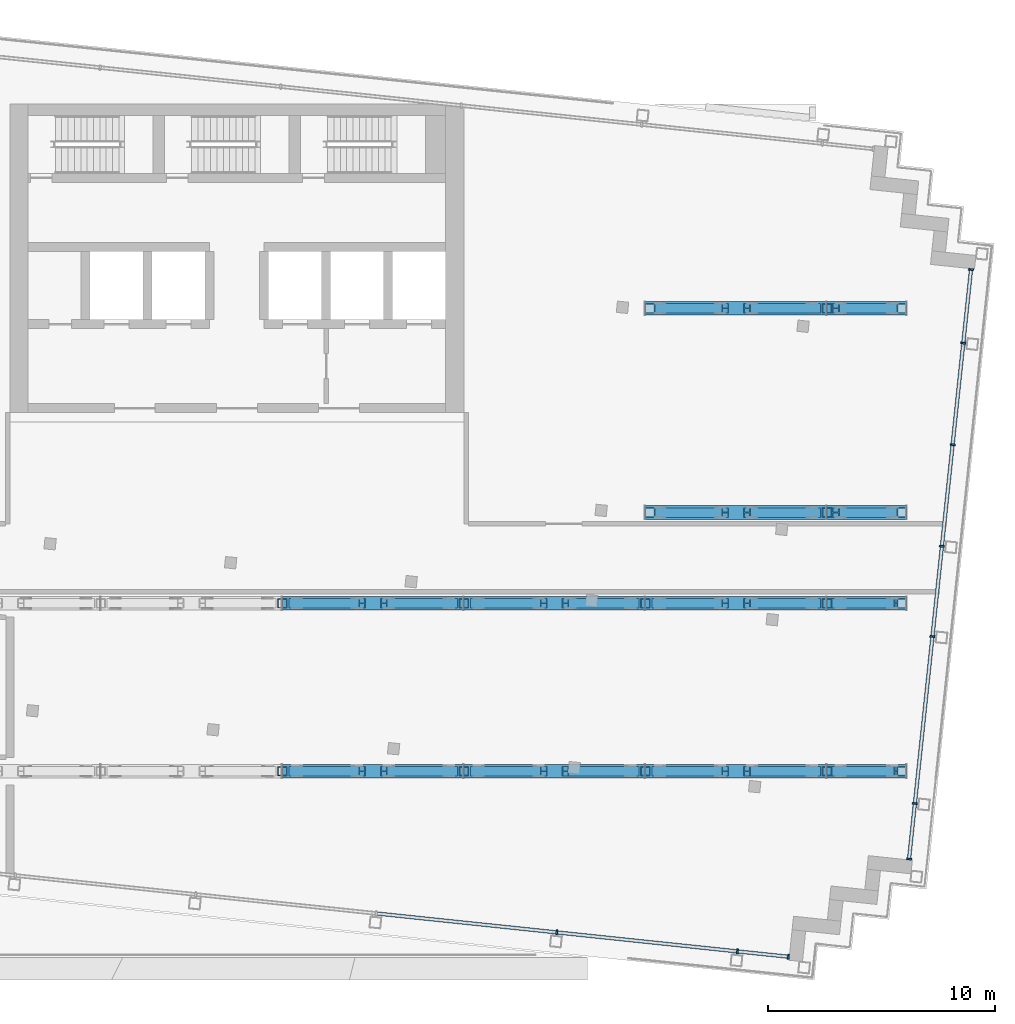
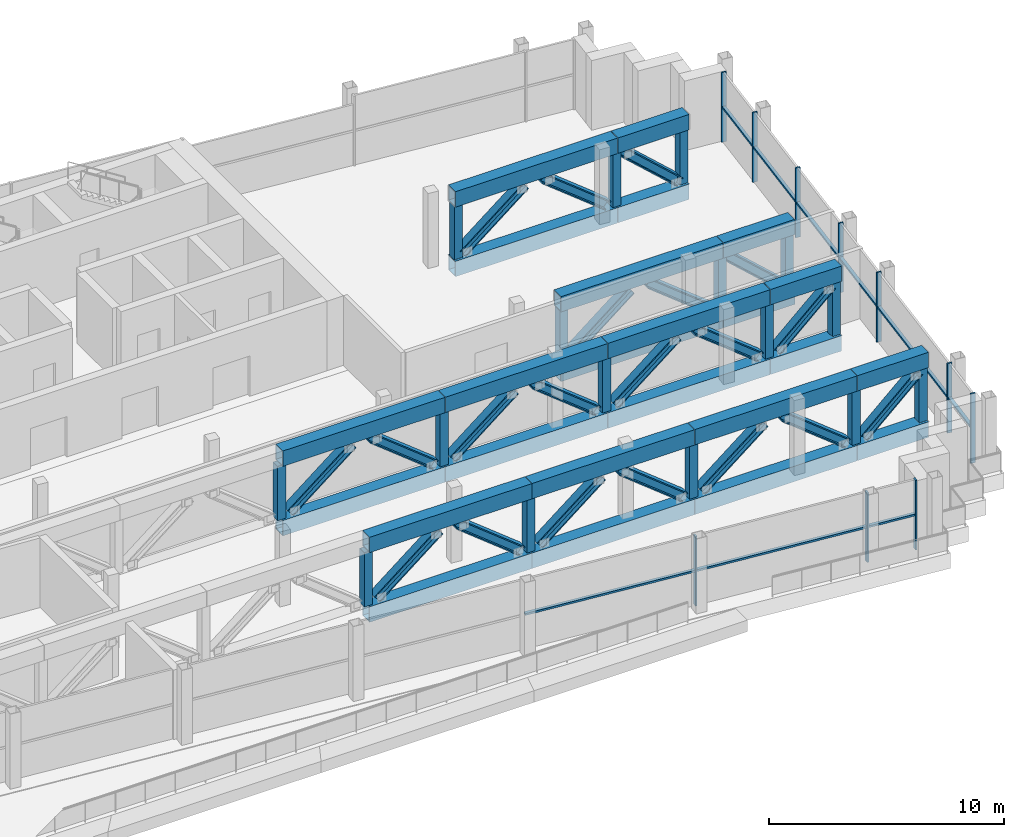
# One storey, part 3 of 18: 79 members, 2 elements without a shape of their own.
"""IFC4 building model written with IfcOpenShell, lengths in metres."""

from ifc_helpers import new_model, si_unit, direction, frame, origin, origin_2d, place, context, subcontext, project, spatial, rectangle, hollow_rectangle, i_section, extrude, material, material_profile, profile_set, type_object, element, aggregate, save


model = new_model("IFC4")

# Units and contexts
model_context = context("Model", 3, precision=1e-05, world=origin(), true_north=direction((0.0, 1.0)))
body_context = subcontext(model_context, "Body", "Model", "MODEL_VIEW")
ifc_project = project(units=[si_unit("LENGTHUNIT", "METRE"), si_unit("AREAUNIT", "SQUARE_METRE"), si_unit("VOLUMEUNIT", "CUBIC_METRE"), si_unit("PLANEANGLEUNIT", "RADIAN"), si_unit("MASSUNIT", "GRAM", prefix="KILO")], contexts=[model_context])

# Site, building, storey
site_placement = place(None, origin())
site = spatial("IfcSite", under=ifc_project, at=site_placement, CompositionType="ELEMENT")
building_placement = place(site_placement, origin())
building = spatial("IfcBuilding", under=site, at=building_placement, Name="Vidyagriha Tower", CompositionType="ELEMENT")
storey_placement = place(building_placement, frame((0.0, 0.0, 249.199951171875)))
storey = spatial("IfcBuildingStorey", under=building, at=storey_placement, Name="L64", CompositionType="ELEMENT", Elevation=249.199951171875)

# Curtain wall, members
ifc_material_1 = material(Name="Aluminium and glass curtain wall", Category="aluminium")
curtain_wall_type = type_object("IfcCurtainWallType", Name="Plant louvre wall", PredefinedType="USERDEFINED", material=ifc_material_1)
curtain_wall_1_placement = place(storey_placement, origin())
curtain_wall_1 = element("IfcCurtainWall", 1, at=curtain_wall_1_placement, inside=storey, type_object=curtain_wall_type, Name="CW7 plant louvre wall", ObjectType="STICK GLAZING", PredefinedType="USERDEFINED")
ifc_material_2 = material(Name="Aluminium black anodised", Category="aluminium")
ifc_material_profile_1 = material_profile(ifc_material_2, rectangle(XDim=0.219970703125, YDim=0.080078125, at=origin_2d()), Name="Mullion 80x220 black aluminium")
ifc_profile_set_1 = profile_set([ifc_material_profile_1], Name="Aluminium black anodised")
member_type_1 = type_object("IfcMemberType", Name="Mullion 80x220 black aluminium", PredefinedType="MULLION", material=ifc_profile_set_1)
member_1_placement = place(storey_placement, frame((14.09814453125, -16.503173828125, 0.0), z_axis=(0.0, 0.0, 1.0), x_axis=(0.104526868149, 0.994522063021, 0.0)))
member_1 = element("IfcMember", 2, at=member_1_placement, type_object=member_type_1, Name="CW7 mullion 6", PredefinedType="MULLION", context=body_context, shape_type="SweptSolid", body=[
    extrude(rectangle(XDim=0.219970703125, YDim=0.080078125, at=origin_2d()), origin(), (0.0, 0.0, 1.0), 3.6201171875),
])
member_2_placement = place(storey_placement, frame((22.05419921875, -17.339599609375, 0.0), z_axis=(0.0, 0.0, 1.0), x_axis=(0.104526868149, 0.994522063021, 0.0)))
member_2 = element("IfcMember", 3, at=member_2_placement, type_object=member_type_1, Name="CW7 mullion 7", PredefinedType="MULLION", context=body_context, shape_type="SweptSolid", body=[
    extrude(rectangle(XDim=0.219970703125, YDim=0.080078125, at=origin_2d()), origin(), (0.0, 0.0, 1.0), 3.6201171875),
])
member_3_placement = place(storey_placement, frame((24.302001953125, -17.57568359375, 0.0), z_axis=(0.0, 0.0, 1.0), x_axis=(0.104526868149, 0.994522063021, 0.0)))
member_3 = element("IfcMember", 4, at=member_3_placement, type_object=member_type_1, Name="CW7 mullion 8", PredefinedType="MULLION", context=body_context, shape_type="SweptSolid", body=[
    extrude(rectangle(XDim=0.219970703125, YDim=0.080078125, at=origin_2d()), origin(), (0.0, 0.0, 1.0), 3.6201171875),
])

curtain_wall_2_placement = place(storey_placement, origin())
curtain_wall_2 = element("IfcCurtainWall", 5, at=curtain_wall_2_placement, inside=storey, type_object=curtain_wall_type, Name="CW7 plant louvre wall", ObjectType="STICK GLAZING", PredefinedType="USERDEFINED")
member_4_placement = place(storey_placement, frame((29.621337890625, -13.268310546875, 0.0), z_axis=(0.0, 0.0, 1.0), x_axis=(-0.994522087828, 0.104526632119, 0.0)))
member_4 = element("IfcMember", 6, at=member_4_placement, type_object=member_type_1, Name="CW7 mullion 1", PredefinedType="MULLION", context=body_context, shape_type="SweptSolid", body=[
    extrude(rectangle(XDim=0.219970703125, YDim=0.080078125, at=origin_2d()), origin(), (0.0, 0.0, 1.0), 3.6201171875),
])
member_5_placement = place(storey_placement, frame((29.87841796875, -10.82177734375, 0.0), z_axis=(0.0, 0.0, 1.0), x_axis=(-0.994522087828, 0.104526632119, 0.0)))
member_5 = element("IfcMember", 7, at=member_5_placement, type_object=member_type_1, Name="CW7 mullion 2", PredefinedType="MULLION", context=body_context, shape_type="SweptSolid", body=[
    extrude(rectangle(XDim=0.219970703125, YDim=0.080078125, at=origin_2d()), origin(), (0.0, 0.0, 1.0), 3.6201171875),
])
member_6_placement = place(storey_placement, frame((30.65185546875, -3.462158203125, 0.0), z_axis=(0.0, 0.0, 1.0), x_axis=(-0.994522087828, 0.104526632119, 0.0)))
member_6 = element("IfcMember", 8, at=member_6_placement, type_object=member_type_1, Name="CW7 mullion 3", PredefinedType="MULLION", context=body_context, shape_type="SweptSolid", body=[
    extrude(rectangle(XDim=0.219970703125, YDim=0.080078125, at=origin_2d()), origin(), (0.0, 0.0, 1.0), 3.6201171875),
])
member_7_placement = place(storey_placement, frame((31.070068359375, 0.515869140625, 0.0), z_axis=(0.0, 0.0, 1.0), x_axis=(-0.994522087828, 0.104526632119, 0.0)))
member_7 = element("IfcMember", 9, at=member_7_placement, type_object=member_type_1, Name="CW7 mullion 4", PredefinedType="MULLION", context=body_context, shape_type="SweptSolid", body=[
    extrude(rectangle(XDim=0.219970703125, YDim=0.080078125, at=origin_2d()), origin(), (0.0, 0.0, 1.0), 3.6201171875),
])
member_8_placement = place(storey_placement, frame((31.540283203125, 4.9912109375, 0.0), z_axis=(0.0, 0.0, 1.0), x_axis=(-0.994522087828, 0.104526632119, 0.0)))
member_8 = element("IfcMember", 10, at=member_8_placement, type_object=member_type_1, Name="CW7 mullion 5", PredefinedType="MULLION", context=body_context, shape_type="SweptSolid", body=[
    extrude(rectangle(XDim=0.219970703125, YDim=0.080078125, at=origin_2d()), origin(), (0.0, 0.0, 1.0), 3.6201171875),
])
member_9_placement = place(storey_placement, frame((32.0107421875, 9.466552734375, 0.0), z_axis=(0.0, 0.0, 1.0), x_axis=(-0.994522087828, 0.104526632119, 0.0)))
member_9 = element("IfcMember", 11, at=member_9_placement, type_object=member_type_1, Name="CW7 mullion 6", PredefinedType="MULLION", context=body_context, shape_type="SweptSolid", body=[
    extrude(rectangle(XDim=0.219970703125, YDim=0.080078125, at=origin_2d()), origin(), (0.0, 0.0, 1.0), 3.6201171875),
])
member_10_placement = place(storey_placement, frame((32.3515625, 12.708740234375, 0.0), z_axis=(0.0, 0.0, 1.0), x_axis=(-0.994522087828, 0.104526632119, 0.0)))
member_10 = element("IfcMember", 12, at=member_10_placement, type_object=member_type_1, Name="CW7 mullion 7", PredefinedType="MULLION", context=body_context, shape_type="SweptSolid", body=[
    extrude(rectangle(XDim=0.219970703125, YDim=0.080078125, at=origin_2d()), origin(), (0.0, 0.0, 1.0), 3.6201171875),
])

# Members
ifc_material_3 = material(Name="Steel ASTM A572 Grade 50", Category="steel")
ifc_material_profile_2 = material_profile(ifc_material_3, hollow_rectangle(XDim=0.60009765625, YDim=0.800048828125, WallThickness=0.034912109375, at=origin_2d()), Name="BOX 800x600x35")
ifc_profile_set_2 = profile_set([ifc_material_profile_2], Name="Steel ASTM A572 Grade 50")
member_type_2 = type_object("IfcMemberType", Name="Transfer truss chord BOX 800x600x35", PredefinedType="CHORD", material=ifc_profile_set_2)
for number, where, z_axis, x_axis, name in (
    (13, (2.0, -9.39990234375, -0.39990234375), (1.0, 0.0, 0.0), (0.0, 1.0, 0.0), "st-truss-L64-T00-B03"),
    (14, (2.0, -9.39990234375, 3.219970703125), (1.0, 0.0, 0.0), (0.0, 1.0, 0.0), "st-truss-L64-T00-T03"),
    (15, (10.0, -9.39990234375, -0.39990234375), (1.0, 0.0, 0.0), (0.0, 1.0, 0.0), "st-truss-L64-T00-B04"),
    (16, (10.0, -9.39990234375, 3.219970703125), (1.0, 0.0, 0.0), (0.0, 1.0, 0.0), "st-truss-L64-T00-T04"),
    (17, (18.0, -9.39990234375, -0.39990234375), (1.0, 0.0, 0.0), (0.0, 1.0, 0.0), "st-truss-L64-T00-B05"),
    (18, (18.0, -9.39990234375, 3.219970703125), (1.0, 0.0, 0.0), (0.0, 1.0, 0.0), "st-truss-L64-T00-T05"),
):
    element("IfcMember", number, at=place(storey_placement, frame(where, z_axis=z_axis, x_axis=x_axis)), inside=storey, type_object=member_type_2, Name=name, PredefinedType="CHORD", context=body_context, shape_type="SweptSolid", body=[
        extrude(hollow_rectangle(XDim=0.60009765625, YDim=0.800048828125, WallThickness=0.034912109375, at=origin_2d()), origin(), (0.0, 0.0, 1.0), 7.98046875),
    ])
for number, where, z_axis, x_axis, name in (
    (19, (26.0, -9.39990234375, -0.39990234375), (1.0, 0.0, 0.0), (0.0, 1.0, 0.0), "st-truss-L64-T00-B06"),
    (20, (26.0, -9.39990234375, 3.219970703125), (1.0, 0.0, 0.0), (0.0, 1.0, 0.0), "st-truss-L64-T00-T06"),
):
    element("IfcMember", number, at=place(storey_placement, frame(where, z_axis=z_axis, x_axis=x_axis)), inside=storey, type_object=member_type_2, Name=name, PredefinedType="CHORD", context=body_context, shape_type="SweptSolid", body=[
        extrude(hollow_rectangle(XDim=0.60009765625, YDim=0.800048828125, WallThickness=0.034912109375, at=origin_2d()), origin(), (0.0, 0.0, 1.0), 3.5),
    ])
for number, where, z_axis, x_axis, name in (
    (21, (2.0, -2.0, -0.39990234375), (1.0, 0.0, 0.0), (0.0, 1.0, 0.0), "st-truss-L64-T01-B03"),
    (22, (2.0, -2.0, 3.219970703125), (1.0, 0.0, 0.0), (0.0, 1.0, 0.0), "st-truss-L64-T01-T03"),
    (23, (10.0, -2.0, -0.39990234375), (1.0, 0.0, 0.0), (0.0, 1.0, 0.0), "st-truss-L64-T01-B04"),
    (24, (10.0, -2.0, 3.219970703125), (1.0, 0.0, 0.0), (0.0, 1.0, 0.0), "st-truss-L64-T01-T04"),
    (25, (18.0, -2.0, -0.39990234375), (1.0, 0.0, 0.0), (0.0, 1.0, 0.0), "st-truss-L64-T01-B05"),
    (26, (18.0, -2.0, 3.219970703125), (1.0, 0.0, 0.0), (0.0, 1.0, 0.0), "st-truss-L64-T01-T05"),
):
    element("IfcMember", number, at=place(storey_placement, frame(where, z_axis=z_axis, x_axis=x_axis)), inside=storey, type_object=member_type_2, Name=name, PredefinedType="CHORD", context=body_context, shape_type="SweptSolid", body=[
        extrude(hollow_rectangle(XDim=0.60009765625, YDim=0.800048828125, WallThickness=0.034912109375, at=origin_2d()), origin(), (0.0, 0.0, 1.0), 7.98046875),
    ])
for number, where, z_axis, x_axis, name in (
    (27, (26.0, -2.0, -0.39990234375), (1.0, 0.0, 0.0), (0.0, 1.0, 0.0), "st-truss-L64-T01-B06"),
    (28, (26.0, -2.0, 3.219970703125), (1.0, 0.0, 0.0), (0.0, 1.0, 0.0), "st-truss-L64-T01-T06"),
):
    element("IfcMember", number, at=place(storey_placement, frame(where, z_axis=z_axis, x_axis=x_axis)), inside=storey, type_object=member_type_2, Name=name, PredefinedType="CHORD", context=body_context, shape_type="SweptSolid", body=[
        extrude(hollow_rectangle(XDim=0.60009765625, YDim=0.800048828125, WallThickness=0.034912109375, at=origin_2d()), origin(), (0.0, 0.0, 1.0), 3.5),
    ])
for number, where, z_axis, x_axis, name in (
    (29, (18.0, 2.0, -0.39990234375), (1.0, 0.0, 0.0), (0.0, 1.0, 0.0), "st-truss-L64-T02-B00"),
    (30, (18.0, 2.0, 3.219970703125), (1.0, 0.0, 0.0), (0.0, 1.0, 0.0), "st-truss-L64-T02-T00"),
):
    element("IfcMember", number, at=place(storey_placement, frame(where, z_axis=z_axis, x_axis=x_axis)), inside=storey, type_object=member_type_2, Name=name, PredefinedType="CHORD", context=body_context, shape_type="SweptSolid", body=[
        extrude(hollow_rectangle(XDim=0.60009765625, YDim=0.800048828125, WallThickness=0.034912109375, at=origin_2d()), origin(), (0.0, 0.0, 1.0), 7.98046875),
    ])
for number, where, z_axis, x_axis, name in (
    (31, (26.0, 2.0, -0.39990234375), (1.0, 0.0, 0.0), (0.0, 1.0, 0.0), "st-truss-L64-T02-B01"),
    (32, (26.0, 2.0, 3.219970703125), (1.0, 0.0, 0.0), (0.0, 1.0, 0.0), "st-truss-L64-T02-T01"),
):
    element("IfcMember", number, at=place(storey_placement, frame(where, z_axis=z_axis, x_axis=x_axis)), inside=storey, type_object=member_type_2, Name=name, PredefinedType="CHORD", context=body_context, shape_type="SweptSolid", body=[
        extrude(hollow_rectangle(XDim=0.60009765625, YDim=0.800048828125, WallThickness=0.034912109375, at=origin_2d()), origin(), (0.0, 0.0, 1.0), 3.5),
    ])
for number, where, z_axis, x_axis, name in (
    (33, (18.0, 11.0, -0.39990234375), (1.0, 0.0, 0.0), (0.0, 1.0, 0.0), "st-truss-L64-T03-B00"),
    (34, (18.0, 11.0, 3.219970703125), (1.0, 0.0, 0.0), (0.0, 1.0, 0.0), "st-truss-L64-T03-T00"),
):
    element("IfcMember", number, at=place(storey_placement, frame(where, z_axis=z_axis, x_axis=x_axis)), inside=storey, type_object=member_type_2, Name=name, PredefinedType="CHORD", context=body_context, shape_type="SweptSolid", body=[
        extrude(hollow_rectangle(XDim=0.60009765625, YDim=0.800048828125, WallThickness=0.034912109375, at=origin_2d()), origin(), (0.0, 0.0, 1.0), 7.98046875),
    ])
for number, where, z_axis, x_axis, name in (
    (35, (26.0, 11.0, -0.39990234375), (1.0, 0.0, 0.0), (0.0, 1.0, 0.0), "st-truss-L64-T03-B01"),
    (36, (26.0, 11.0, 3.219970703125), (1.0, 0.0, 0.0), (0.0, 1.0, 0.0), "st-truss-L64-T03-T01"),
):
    element("IfcMember", number, at=place(storey_placement, frame(where, z_axis=z_axis, x_axis=x_axis)), inside=storey, type_object=member_type_2, Name=name, PredefinedType="CHORD", context=body_context, shape_type="SweptSolid", body=[
        extrude(hollow_rectangle(XDim=0.60009765625, YDim=0.800048828125, WallThickness=0.034912109375, at=origin_2d()), origin(), (0.0, 0.0, 1.0), 3.5),
    ])
ifc_material_4 = material(Name="Steel ASTM A913 Grade 65", Category="steel")
ifc_material_profile_3 = material_profile(ifc_material_4, i_section(OverallWidth=0.421630859375, OverallDepth=0.46484375, WebThickness=0.030029296875, FlangeThickness=0.052978515625, at=origin_2d()), Name="W14X398")
ifc_profile_set_3 = profile_set([ifc_material_profile_3], Name="Steel ASTM A913 Grade 65")
member_type_3 = type_object("IfcMemberType", Name="Transfer truss diagonal W14X398", PredefinedType="BRACE", material=ifc_profile_set_3)
for number, where, z_axis, x_axis, name in (
    (37, (2.42919921875, -9.39990234375, 0.18212890625), (0.783011647568, 0.0, 0.622007041578), (0.0, 1.0, 0.0), "st-truss-L64-T00-D030"),
    (38, (6.47900390625, -9.39990234375, 2.63818359375), (0.783011647568, 0.0, -0.622007041578), (0.0, 1.0, 0.0), "st-truss-L64-T00-D031"),
    (39, (10.42919921875, -9.39990234375, 0.18212890625), (0.783011647568, 0.0, 0.622007041578), (0.0, 1.0, 0.0), "st-truss-L64-T00-D040"),
    (40, (14.47900390625, -9.39990234375, 2.63818359375), (0.783011647568, 0.0, -0.622007041578), (0.0, 1.0, 0.0), "st-truss-L64-T00-D041"),
    (41, (18.42919921875, -9.39990234375, 0.18212890625), (0.783011647568, 0.0, 0.622007041578), (0.0, 1.0, 0.0), "st-truss-L64-T00-D050"),
    (42, (22.47900390625, -9.39990234375, 2.63818359375), (0.783011647568, 0.0, -0.622007041578), (0.0, 1.0, 0.0), "st-truss-L64-T00-D051"),
):
    element("IfcMember", number, at=place(storey_placement, frame(where, z_axis=z_axis, x_axis=x_axis)), inside=storey, type_object=member_type_3, Name=name, PredefinedType="BRACE", context=body_context, shape_type="SweptSolid", body=[
        extrude(i_section(OverallWidth=0.421630859375, OverallDepth=0.46484375, WebThickness=0.030029296875, FlangeThickness=0.052978515625, at=origin_2d()), origin(), (0.0, 0.0, 1.0), 3.948486328125),
    ])
member_11_placement = place(storey_placement, frame((26.388916015625, -9.39990234375, 0.171875), z_axis=(0.739720893148, 0.0, 0.672913813382), x_axis=(0.0, 1.0, 0.0)))
element("IfcMember", 43, at=member_11_placement, inside=storey, type_object=member_type_3, Name="st-truss-L64-T00-D060", PredefinedType="BRACE", context=body_context, shape_type="SweptSolid", body=[
    extrude(i_section(OverallWidth=0.421630859375, OverallDepth=0.46484375, WebThickness=0.030029296875, FlangeThickness=0.052978515625, at=origin_2d()), origin(), (0.0, 0.0, 1.0), 3.679931640625),
])
for number, where, z_axis, x_axis, name in (
    (44, (2.42919921875, -2.0, 0.18212890625), (0.783011647568, 0.0, 0.622007041578), (0.0, 1.0, 0.0), "st-truss-L64-T01-D030"),
    (45, (6.47900390625, -2.0, 2.63818359375), (0.783011647568, 0.0, -0.622007041578), (0.0, 1.0, 0.0), "st-truss-L64-T01-D031"),
    (46, (10.42919921875, -2.0, 0.18212890625), (0.783011647568, 0.0, 0.622007041578), (0.0, 1.0, 0.0), "st-truss-L64-T01-D040"),
    (47, (14.47900390625, -2.0, 2.63818359375), (0.783011647568, 0.0, -0.622007041578), (0.0, 1.0, 0.0), "st-truss-L64-T01-D041"),
    (48, (18.42919921875, -2.0, 0.18212890625), (0.783011647568, 0.0, 0.622007041578), (0.0, 1.0, 0.0), "st-truss-L64-T01-D050"),
    (49, (22.47900390625, -2.0, 2.63818359375), (0.783011647568, 0.0, -0.622007041578), (0.0, 1.0, 0.0), "st-truss-L64-T01-D051"),
):
    element("IfcMember", number, at=place(storey_placement, frame(where, z_axis=z_axis, x_axis=x_axis)), inside=storey, type_object=member_type_3, Name=name, PredefinedType="BRACE", context=body_context, shape_type="SweptSolid", body=[
        extrude(i_section(OverallWidth=0.421630859375, OverallDepth=0.46484375, WebThickness=0.030029296875, FlangeThickness=0.052978515625, at=origin_2d()), origin(), (0.0, 0.0, 1.0), 3.948486328125),
    ])
member_12_placement = place(storey_placement, frame((26.388916015625, -2.0, 0.171875), z_axis=(0.739720893148, 0.0, 0.672913813382), x_axis=(0.0, 1.0, 0.0)))
element("IfcMember", 50, at=member_12_placement, inside=storey, type_object=member_type_3, Name="st-truss-L64-T01-D060", PredefinedType="BRACE", context=body_context, shape_type="SweptSolid", body=[
    extrude(i_section(OverallWidth=0.421630859375, OverallDepth=0.46484375, WebThickness=0.030029296875, FlangeThickness=0.052978515625, at=origin_2d()), origin(), (0.0, 0.0, 1.0), 3.679931640625),
])
for number, where, z_axis, x_axis, name in (
    (51, (18.42919921875, 2.0, 0.18212890625), (0.783011647568, 0.0, 0.622007041578), (0.0, 1.0, 0.0), "st-truss-L64-T02-D000"),
    (52, (22.47900390625, 2.0, 2.63818359375), (0.783011647568, 0.0, -0.622007041578), (0.0, 1.0, 0.0), "st-truss-L64-T02-D001"),
):
    element("IfcMember", number, at=place(storey_placement, frame(where, z_axis=z_axis, x_axis=x_axis)), inside=storey, type_object=member_type_3, Name=name, PredefinedType="BRACE", context=body_context, shape_type="SweptSolid", body=[
        extrude(i_section(OverallWidth=0.421630859375, OverallDepth=0.46484375, WebThickness=0.030029296875, FlangeThickness=0.052978515625, at=origin_2d()), origin(), (0.0, 0.0, 1.0), 3.948486328125),
    ])
member_13_placement = place(storey_placement, frame((26.388916015625, 2.0, 2.648193359375), z_axis=(0.739720893148, 0.0, -0.672913813382), x_axis=(0.0, 1.0, 0.0)))
element("IfcMember", 53, at=member_13_placement, inside=storey, type_object=member_type_3, Name="st-truss-L64-T02-D010", PredefinedType="BRACE", context=body_context, shape_type="SweptSolid", body=[
    extrude(i_section(OverallWidth=0.421630859375, OverallDepth=0.46484375, WebThickness=0.030029296875, FlangeThickness=0.052978515625, at=origin_2d()), origin(), (0.0, 0.0, 1.0), 3.679931640625),
])
for number, where, z_axis, x_axis, name in (
    (54, (18.42919921875, 11.0, 0.18212890625), (0.783011647568, 0.0, 0.622007041578), (0.0, 1.0, 0.0), "st-truss-L64-T03-D000"),
    (55, (22.47900390625, 11.0, 2.63818359375), (0.783011647568, 0.0, -0.622007041578), (0.0, 1.0, 0.0), "st-truss-L64-T03-D001"),
):
    element("IfcMember", number, at=place(storey_placement, frame(where, z_axis=z_axis, x_axis=x_axis)), inside=storey, type_object=member_type_3, Name=name, PredefinedType="BRACE", context=body_context, shape_type="SweptSolid", body=[
        extrude(i_section(OverallWidth=0.421630859375, OverallDepth=0.46484375, WebThickness=0.030029296875, FlangeThickness=0.052978515625, at=origin_2d()), origin(), (0.0, 0.0, 1.0), 3.948486328125),
    ])
member_14_placement = place(storey_placement, frame((26.388916015625, 11.0, 2.648193359375), z_axis=(0.739720893148, 0.0, -0.672913813382), x_axis=(0.0, 1.0, 0.0)))
element("IfcMember", 56, at=member_14_placement, inside=storey, type_object=member_type_3, Name="st-truss-L64-T03-D010", PredefinedType="BRACE", context=body_context, shape_type="SweptSolid", body=[
    extrude(i_section(OverallWidth=0.421630859375, OverallDepth=0.46484375, WebThickness=0.030029296875, FlangeThickness=0.052978515625, at=origin_2d()), origin(), (0.0, 0.0, 1.0), 3.679931640625),
])
ifc_material_5 = material(Name="Steel ASTM A500 Grade C", Category="steel")
ifc_material_profile_4 = material_profile(ifc_material_5, hollow_rectangle(XDim=0.406494140625, YDim=0.406494140625, WallThickness=0.017822265625, at=origin_2d()), Name="HSS16X16X3/4")
ifc_profile_set_4 = profile_set([ifc_material_profile_4], Name="Steel ASTM A500 Grade C")
member_type_4 = type_object("IfcMemberType", Name="Transfer truss post HSS16X16X3/4", PredefinedType="POST", material=ifc_profile_set_4)
for number, where, name in (
    (57, (2.0, -9.39990234375, 0.0), "st-truss-L64-T00-P03"),
    (58, (10.0, -9.39990234375, 0.0), "st-truss-L64-T00-P04"),
    (59, (18.0, -9.39990234375, 0.0), "st-truss-L64-T00-P05"),
    (60, (26.0, -9.39990234375, 0.0), "st-truss-L64-T00-P06"),
):
    element("IfcMember", number, at=place(storey_placement, frame(where)), inside=storey, type_object=member_type_4, Name=name, PredefinedType="POST", context=body_context, shape_type="SweptSolid", body=[
        extrude(hollow_rectangle(XDim=0.406494140625, YDim=0.406494140625, WallThickness=0.017822265625, at=origin_2d()), origin(), (0.0, 0.0, 1.0), 2.820068359375),
    ])
member_15_placement = place(storey_placement, frame((29.296875, -9.39990234375, 0.01953125)))
element("IfcMember", 61, at=member_15_placement, inside=storey, type_object=member_type_4, Name="st-truss-L64-T00-P07", PredefinedType="POST", context=body_context, shape_type="SweptSolid", body=[
    extrude(hollow_rectangle(XDim=0.406494140625, YDim=0.406494140625, WallThickness=0.017822265625, at=origin_2d()), origin(), (0.0, 0.0, 1.0), 2.781005859375),
])
for number, where, name in (
    (62, (2.0, -2.0, 0.0), "st-truss-L64-T01-P03"),
    (63, (10.0, -2.0, 0.0), "st-truss-L64-T01-P04"),
    (64, (18.0, -2.0, 0.0), "st-truss-L64-T01-P05"),
    (65, (26.0, -2.0, 0.0), "st-truss-L64-T01-P06"),
):
    element("IfcMember", number, at=place(storey_placement, frame(where)), inside=storey, type_object=member_type_4, Name=name, PredefinedType="POST", context=body_context, shape_type="SweptSolid", body=[
        extrude(hollow_rectangle(XDim=0.406494140625, YDim=0.406494140625, WallThickness=0.017822265625, at=origin_2d()), origin(), (0.0, 0.0, 1.0), 2.820068359375),
    ])
for number, where, name in (
    (66, (29.296875, -2.0, 0.01953125), "st-truss-L64-T01-P07"),
    (67, (18.203125, 2.0, 0.01953125), "st-truss-L64-T02-P00"),
):
    element("IfcMember", number, at=place(storey_placement, frame(where)), inside=storey, type_object=member_type_4, Name=name, PredefinedType="POST", context=body_context, shape_type="SweptSolid", body=[
        extrude(hollow_rectangle(XDim=0.406494140625, YDim=0.406494140625, WallThickness=0.017822265625, at=origin_2d()), origin(), (0.0, 0.0, 1.0), 2.781005859375),
    ])
member_16_placement = place(storey_placement, frame((26.0, 2.0, 0.0)))
element("IfcMember", 68, at=member_16_placement, inside=storey, type_object=member_type_4, Name="st-truss-L64-T02-P01", PredefinedType="POST", context=body_context, shape_type="SweptSolid", body=[
    extrude(hollow_rectangle(XDim=0.406494140625, YDim=0.406494140625, WallThickness=0.017822265625, at=origin_2d()), origin(), (0.0, 0.0, 1.0), 2.820068359375),
])
for number, where, name in (
    (69, (29.296875, 2.0, 0.01953125), "st-truss-L64-T02-P02"),
    (70, (18.203125, 11.0, 0.01953125), "st-truss-L64-T03-P00"),
):
    element("IfcMember", number, at=place(storey_placement, frame(where)), inside=storey, type_object=member_type_4, Name=name, PredefinedType="POST", context=body_context, shape_type="SweptSolid", body=[
        extrude(hollow_rectangle(XDim=0.406494140625, YDim=0.406494140625, WallThickness=0.017822265625, at=origin_2d()), origin(), (0.0, 0.0, 1.0), 2.781005859375),
    ])
member_17_placement = place(storey_placement, frame((26.0, 11.0, 0.0)))
element("IfcMember", 71, at=member_17_placement, inside=storey, type_object=member_type_4, Name="st-truss-L64-T03-P01", PredefinedType="POST", context=body_context, shape_type="SweptSolid", body=[
    extrude(hollow_rectangle(XDim=0.406494140625, YDim=0.406494140625, WallThickness=0.017822265625, at=origin_2d()), origin(), (0.0, 0.0, 1.0), 2.820068359375),
])
member_18_placement = place(storey_placement, frame((29.296875, 11.0, 0.01953125)))
element("IfcMember", 72, at=member_18_placement, inside=storey, type_object=member_type_4, Name="st-truss-L64-T03-P02", PredefinedType="POST", context=body_context, shape_type="SweptSolid", body=[
    extrude(hollow_rectangle(XDim=0.406494140625, YDim=0.406494140625, WallThickness=0.017822265625, at=origin_2d()), origin(), (0.0, 0.0, 1.0), 2.781005859375),
])

# Member
ifc_material_6 = material(Name="Aluminium black anodised", Category="aluminium")
ifc_material_profile_5 = material_profile(ifc_material_6, rectangle(XDim=0.159912109375, YDim=0.10009765625, at=origin_2d()), Name="Transom 100x160 black aluminium")
ifc_profile_set_5 = profile_set([ifc_material_profile_5], Name="Aluminium black anodised")
member_type_5 = type_object("IfcMemberType", Name="Transom 100x160 black aluminium", PredefinedType="USERDEFINED", material=ifc_profile_set_5)
member_19_placement = place(storey_placement, frame((6.181640625, -15.671142578125, 1.81005859375), z_axis=(0.994521824685, -0.104529135775, 0.0), x_axis=(0.104529135775, 0.994521824685, 0.0)))
member_19 = element("IfcMember", 73, at=member_19_placement, type_object=member_type_5, Name="CW7 transom 5.1", ObjectType="TRANSOM", PredefinedType="USERDEFINED", context=body_context, shape_type="SweptSolid", body=[
    extrude(rectangle(XDim=0.159912109375, YDim=0.10009765625, at=origin_2d()), origin(), (0.0, 0.0, 1.0), 7.920166015625),
])

member_20_placement = place(storey_placement, frame((14.137939453125, -16.507568359375, 1.81005859375), z_axis=(0.994524692105, -0.104501850668, 0.0), x_axis=(0.104501850668, 0.994524692105, 0.0)))
member_20 = element("IfcMember", 74, at=member_20_placement, type_object=member_type_5, Name="CW7 transom 6.1", ObjectType="TRANSOM", PredefinedType="USERDEFINED", context=body_context, shape_type="SweptSolid", body=[
    extrude(rectangle(XDim=0.159912109375, YDim=0.10009765625, at=origin_2d()), origin(), (0.0, 0.0, 1.0), 7.919921875),
])

member_21_placement = place(storey_placement, frame((22.093994140625, -17.34375, 1.81005859375), z_axis=(0.994526908312, -0.104480757286, 0.0), x_axis=(0.104480757286, 0.994526908312, 0.0)))
member_21 = element("IfcMember", 75, at=member_21_placement, type_object=member_type_5, Name="CW7 transom 7.1", ObjectType="TRANSOM", PredefinedType="USERDEFINED", context=body_context, shape_type="SweptSolid", body=[
    extrude(rectangle(XDim=0.159912109375, YDim=0.10009765625, at=origin_2d()), origin(), (0.0, 0.0, 1.0), 2.18017578125),
])

aggregate(curtain_wall_1, [member_1, member_2, member_3, member_19, member_20, member_21])

member_22_placement = place(storey_placement, frame((29.62548828125, -13.228515625, 1.81005859375), z_axis=(0.10452992826, 0.99452174139, 0.0), x_axis=(-0.99452174139, 0.10452992826, 0.0)))
member_22 = element("IfcMember", 76, at=member_22_placement, type_object=member_type_5, Name="CW7 transom 1.1", ObjectType="TRANSOM", PredefinedType="USERDEFINED", context=body_context, shape_type="SweptSolid", body=[
    extrude(rectangle(XDim=0.159912109375, YDim=0.10009765625, at=origin_2d()), origin(), (0.0, 0.0, 1.0), 2.3798828125),
])

member_23_placement = place(storey_placement, frame((29.882568359375, -10.781982421875, 1.81005859375), z_axis=(0.104525059235, 0.994522253141, 0.0), x_axis=(-0.994522253141, 0.104525059235, 0.0)))
member_23 = element("IfcMember", 77, at=member_23_placement, type_object=member_type_5, Name="CW7 transom 2.1", ObjectType="TRANSOM", PredefinedType="USERDEFINED", context=body_context, shape_type="SweptSolid", body=[
    extrude(rectangle(XDim=0.159912109375, YDim=0.10009765625, at=origin_2d()), origin(), (0.0, 0.0, 1.0), 7.320068359375),
])

member_24_placement = place(storey_placement, frame((30.656005859375, -3.42236328125, 1.81005859375), z_axis=(0.104571311333, 0.994517390922, 0.0), x_axis=(-0.994517390922, 0.104571311333, 0.0)))
member_24 = element("IfcMember", 78, at=member_24_placement, type_object=member_type_5, Name="CW7 transom 3.1", ObjectType="TRANSOM", PredefinedType="USERDEFINED", context=body_context, shape_type="SweptSolid", body=[
    extrude(rectangle(XDim=0.159912109375, YDim=0.10009765625, at=origin_2d()), origin(), (0.0, 0.0, 1.0), 3.919921875),
])

member_25_placement = place(storey_placement, frame((31.07421875, 0.5556640625, 1.81005859375), z_axis=(0.104506514317, 0.994524202051, 0.0), x_axis=(-0.994524202051, 0.104506514317, 0.0)))
member_25 = element("IfcMember", 79, at=member_25_placement, type_object=member_type_5, Name="CW7 transom 4.1", ObjectType="TRANSOM", PredefinedType="USERDEFINED", context=body_context, shape_type="SweptSolid", body=[
    extrude(rectangle(XDim=0.159912109375, YDim=0.10009765625, at=origin_2d()), origin(), (0.0, 0.0, 1.0), 4.419921875),
])

member_26_placement = place(storey_placement, frame((31.544677734375, 5.031005859375, 1.81005859375), z_axis=(0.104506514317, 0.994524202051, 0.0), x_axis=(-0.994524202051, 0.104506514317, 0.0)))
member_26 = element("IfcMember", 80, at=member_26_placement, type_object=member_type_5, Name="CW7 transom 5.1", ObjectType="TRANSOM", PredefinedType="USERDEFINED", context=body_context, shape_type="SweptSolid", body=[
    extrude(rectangle(XDim=0.159912109375, YDim=0.10009765625, at=origin_2d()), origin(), (0.0, 0.0, 1.0), 4.419921875),
])

member_27_placement = place(storey_placement, frame((32.014892578125, 9.50634765625, 1.81005859375), z_axis=(0.1045648916, 0.994518065922, 0.0), x_axis=(-0.994518065922, 0.1045648916, 0.0)))
member_27 = element("IfcMember", 81, at=member_27_placement, type_object=member_type_5, Name="CW7 transom 6.1", ObjectType="TRANSOM", PredefinedType="USERDEFINED", context=body_context, shape_type="SweptSolid", body=[
    extrude(rectangle(XDim=0.159912109375, YDim=0.10009765625, at=origin_2d()), origin(), (0.0, 0.0, 1.0), 3.179931640625),
])

aggregate(curtain_wall_2, [member_4, member_5, member_6, member_7, member_8, member_9, member_10, member_22, member_23, member_24, member_25, member_26, member_27])

save(model, "model.ifc")
